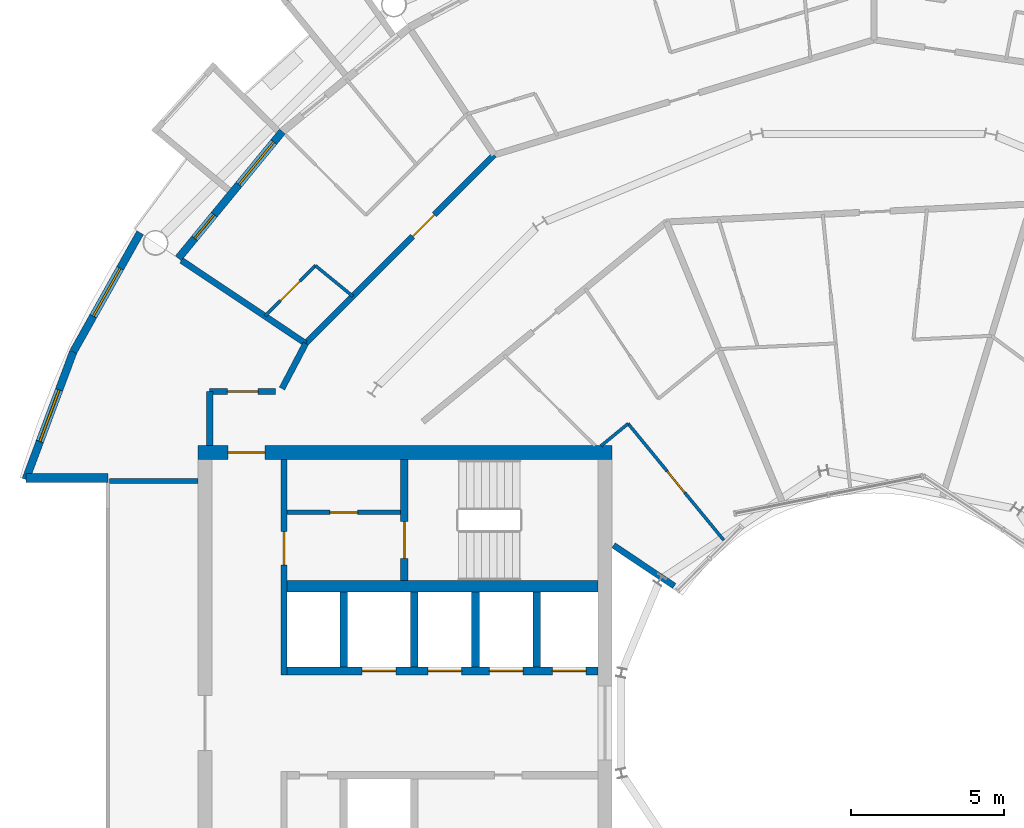
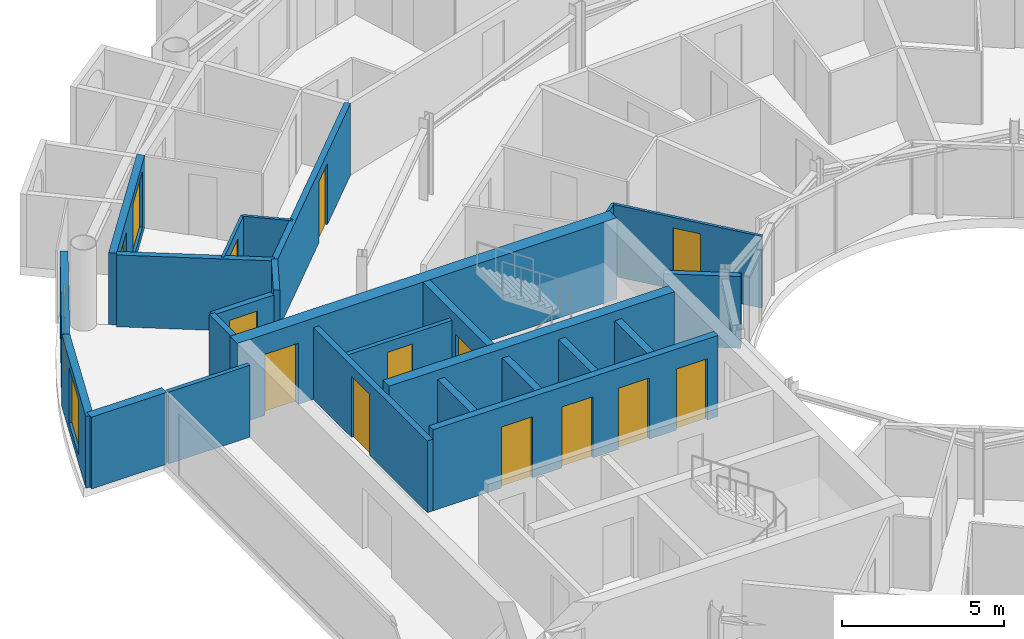
# One storey, part 20 of 29: 25 walls, 13 doors, 3 windows, 16 openings.
"""IFC4 building model written with IfcOpenShell, lengths in metres."""

from ifc_helpers import new_model, si_unit, direction, frame, frame_2d, origin, place, context, subcontext, project, spatial, rectangle, extrude, material, layer, layer_set, type_object, element, fill, save


model = new_model("IFC4")

# Units and contexts
model_context = context("Model", 3, precision=1e-05, world=origin(), true_north=direction((0.0, 1.0)))
body_context = subcontext(model_context, "Body", "Model", "MODEL_VIEW")
ifc_project = project(units=[si_unit("LENGTHUNIT", "METRE"), si_unit("AREAUNIT", "SQUARE_METRE"), si_unit("VOLUMEUNIT", "CUBIC_METRE"), si_unit("PLANEANGLEUNIT", "RADIAN"), si_unit("MASSUNIT", "GRAM", prefix="KILO")], contexts=[model_context])

# Site, building, storey
site_placement = place(None, origin())
site = spatial("IfcSite", under=ifc_project, at=site_placement, CompositionType="ELEMENT")
building_placement = place(site_placement, origin())
building = spatial("IfcBuilding", under=site, at=building_placement, Name="Maasbend Ring Residences", CompositionType="ELEMENT")
storey_placement = place(building_placement, frame((0.0, 0.0, 202.39990234375)))
storey = spatial("IfcBuildingStorey", under=building, at=storey_placement, Name="L58", CompositionType="ELEMENT", Elevation=202.39990234375)

# Wall, openings, doors
ifc_material_1 = material(Name="Concrete C50/60", Category="concrete")
ifc_layer_1 = layer(ifc_material_1, 0.25)
ifc_layer_set_1 = layer_set([ifc_layer_1], Name="Concrete C50/60")
wall_type_1 = type_object("IfcWallType", Name="CORE WALL 250 C50/60", PredefinedType="SHEAR", material=ifc_layer_set_1)
wall_1_placement = place(storey_placement, frame((-9.0, 1.699951171875, 0.0), z_axis=(0.0, 0.0, 1.0), x_axis=(-1.0, 0.0, 0.0)))
wall_1 = element("IfcWall", 1, at=wall_1_placement, inside=storey, type_object=wall_type_1, Name="L58 core W wall SPS", PredefinedType="SHEAR", context=body_context, shape_type="SweptSolid", body=[
    extrude(rectangle(XDim=10.14990234375, YDim=0.25, at=frame_2d((5.074951171875, 0.0))), origin(), (0.0, 0.0, 1.0), 3.050048828125),
])
opening_1_placement = place(wall_1_placement, frame((0.387451171875, 0.0, 0.0)))
opening_1 = element("IfcOpeningElement", 2, at=opening_1_placement, cuts=wall_1, Name="Opening LD-W5802", PredefinedType="OPENING", context=body_context, shape_type="SweptSolid", body=[
    extrude(rectangle(XDim=1.10009765625, YDim=2.300048828125, at=frame_2d((0.550048828125, 1.14990234375))), frame((0.0, 0.135009765625, 0.0), z_axis=(0.0, -1.0, 0.0), x_axis=(1.0, 0.0, 0.0)), (0.0, 0.0, 1.0), 0.27001953125),
])
opening_2_placement = place(wall_1_placement, frame((2.449951171875, 0.0, 0.0)))
opening_2 = element("IfcOpeningElement", 3, at=opening_2_placement, cuts=wall_1, Name="Opening LD-W5803", PredefinedType="OPENING", context=body_context, shape_type="SweptSolid", body=[
    extrude(rectangle(XDim=1.10009765625, YDim=2.300048828125, at=frame_2d((0.550048828125, 1.14990234375))), frame((0.0, 0.135009765625, 0.0), z_axis=(0.0, -1.0, 0.0), x_axis=(1.0, 0.0, 0.0)), (0.0, 0.0, 1.0), 0.27001953125),
])
opening_3_placement = place(wall_1_placement, frame((4.449951171875, 0.0, 0.0)))
opening_3 = element("IfcOpeningElement", 4, at=opening_3_placement, cuts=wall_1, Name="Opening LD-W5804", PredefinedType="OPENING", context=body_context, shape_type="SweptSolid", body=[
    extrude(rectangle(XDim=1.10009765625, YDim=2.300048828125, at=frame_2d((0.550048828125, 1.14990234375))), frame((0.0, 0.135009765625, 0.0), z_axis=(0.0, -1.0, 0.0), x_axis=(1.0, 0.0, 0.0)), (0.0, 0.0, 1.0), 0.27001953125),
])
opening_4_placement = place(wall_1_placement, frame((6.60009765625, 0.0, 0.0)))
opening_4 = element("IfcOpeningElement", 5, at=opening_4_placement, cuts=wall_1, Name="Opening LD-W5805", PredefinedType="OPENING", context=body_context, shape_type="SweptSolid", body=[
    extrude(rectangle(XDim=1.10009765625, YDim=2.300048828125, at=frame_2d((0.550048828125, 1.14990234375))), frame((0.0, 0.135009765625, 0.0), z_axis=(0.0, -1.0, 0.0), x_axis=(1.0, 0.0, 0.0)), (0.0, 0.0, 1.0), 0.27001953125),
])
ifc_material_2 = material(Name="Stainless steel 316", Category="steel")
door_type_1 = type_object("IfcDoorType", Name="LANDING DOOR 1100 X 2300 FD60", OperationType="DOUBLE_DOOR_SLIDING", PredefinedType="DOOR", material=ifc_material_2)
door_1_placement = place(opening_1_placement, origin())
door_1 = element("IfcDoor", 6, at=door_1_placement, inside=storey, type_object=door_type_1, Name="Landing door HR-W1 L58", OperationType="DOUBLE_DOOR_SLIDING", OverallHeight=2.300048828125, OverallWidth=1.10009765625, PredefinedType="DOOR", context=body_context, shape_type="SweptSolid", body=[
    extrude(rectangle(XDim=1.10009765625, YDim=2.300048828125, at=frame_2d((0.550048828125, 1.14990234375))), frame((0.0, 0.02490234375, 0.0), z_axis=(0.0, -1.0, 0.0), x_axis=(1.0, 0.0, 0.0)), (0.0, 0.0, 1.0), 0.050048828125),
])
fill(opening_1, door_1)
door_2_placement = place(opening_2_placement, origin())
door_2 = element("IfcDoor", 7, at=door_2_placement, inside=storey, type_object=door_type_1, Name="Landing door HR-W2 L58", OperationType="DOUBLE_DOOR_SLIDING", OverallHeight=2.300048828125, OverallWidth=1.10009765625, PredefinedType="DOOR", context=body_context, shape_type="SweptSolid", body=[
    extrude(rectangle(XDim=1.10009765625, YDim=2.300048828125, at=frame_2d((0.550048828125, 1.14990234375))), frame((0.0, 0.02490234375, 0.0), z_axis=(0.0, -1.0, 0.0), x_axis=(1.0, 0.0, 0.0)), (0.0, 0.0, 1.0), 0.050048828125),
])
fill(opening_2, door_2)
door_3_placement = place(opening_3_placement, origin())
door_3 = element("IfcDoor", 8, at=door_3_placement, inside=storey, type_object=door_type_1, Name="Landing door HR-W3 L58", OperationType="DOUBLE_DOOR_SLIDING", OverallHeight=2.300048828125, OverallWidth=1.10009765625, PredefinedType="DOOR", context=body_context, shape_type="SweptSolid", body=[
    extrude(rectangle(XDim=1.10009765625, YDim=2.300048828125, at=frame_2d((0.550048828125, 1.14990234375))), frame((0.0, 0.02490234375, 0.0), z_axis=(0.0, -1.0, 0.0), x_axis=(1.0, 0.0, 0.0)), (0.0, 0.0, 1.0), 0.050048828125),
])
fill(opening_3, door_3)
door_4_placement = place(opening_4_placement, origin())
door_4 = element("IfcDoor", 9, at=door_4_placement, inside=storey, type_object=door_type_1, Name="Landing door SV-W L58", OperationType="DOUBLE_DOOR_SLIDING", OverallHeight=2.300048828125, OverallWidth=1.10009765625, PredefinedType="DOOR", context=body_context, shape_type="SweptSolid", body=[
    extrude(rectangle(XDim=1.10009765625, YDim=2.300048828125, at=frame_2d((0.550048828125, 1.14990234375))), frame((0.0, 0.02490234375, 0.0), z_axis=(0.0, -1.0, 0.0), x_axis=(1.0, 0.0, 0.0)), (0.0, 0.0, 1.0), 0.050048828125),
])
fill(opening_4, door_4)

# Wall, opening, door
wall_2_placement = place(storey_placement, frame((-15.324951171875, 8.60009765625, 0.0), z_axis=(0.0, 0.0, 1.0), x_axis=(0.0, -1.0, 0.0)))
wall_2 = element("IfcWall", 10, at=wall_2_placement, inside=storey, type_object=wall_type_1, Name="L58 core W wall STES", PredefinedType="SHEAR", context=body_context, shape_type="SweptSolid", body=[
    extrude(rectangle(XDim=3.9501953125, YDim=0.25, at=frame_2d((1.97509765625, 0.0))), origin(), (0.0, 0.0, 1.0), 3.050048828125),
])
opening_5_placement = place(wall_2_placement, frame((2.02490234375, 0.0, 0.0)))
opening_5 = element("IfcOpeningElement", 11, at=opening_5_placement, cuts=wall_2, Name="Opening D-W5810", PredefinedType="OPENING", context=body_context, shape_type="SweptSolid", body=[
    extrude(rectangle(XDim=1.199951171875, YDim=2.300048828125, at=frame_2d((0.60009765625, 1.14990234375))), frame((0.0, 0.135009765625, 0.0), z_axis=(0.0, -1.0, 0.0), x_axis=(1.0, 0.0, 0.0)), (0.0, 0.0, 1.0), 0.27001953125),
])
ifc_material_3 = material(Name="Steel, powder coated", Category="steel")
door_type_2 = type_object("IfcDoorType", Name="STAIR DOOR 1200 X 2300 FD60", OperationType="NOTDEFINED", PredefinedType="DOOR", material=ifc_material_3)
door_5_placement = place(opening_5_placement, origin())
door_5 = element("IfcDoor", 12, at=door_5_placement, inside=storey, type_object=door_type_2, Name="Stair door ST-W L58", OperationType="SINGLE_SWING_LEFT", OverallHeight=2.300048828125, OverallWidth=1.199951171875, PredefinedType="DOOR", context=body_context, shape_type="SweptSolid", body=[
    extrude(rectangle(XDim=1.199951171875, YDim=2.300048828125, at=frame_2d((0.60009765625, 1.14990234375))), frame((0.0, 0.02490234375, 0.0), z_axis=(0.0, -1.0, 0.0), x_axis=(1.0, 0.0, 0.0)), (0.0, 0.0, 1.0), 0.050048828125),
])
fill(opening_5, door_5)

# Wall
ifc_material_4 = material(Name="Concrete C50/60", Category="concrete")
ifc_layer_2 = layer(ifc_material_4, 0.375)
ifc_layer_set_2 = layer_set([ifc_layer_2], Name="Concrete C50/60")
wall_type_2 = type_object("IfcWallType", Name="CORE WALL 375 C50/60", PredefinedType="SHEAR", material=ifc_layer_set_2)
wall_3_placement = place(storey_placement, frame((-9.0, 4.46240234375, 0.0), z_axis=(0.0, 0.0, 1.0), x_axis=(-1.0, 0.0, 0.0)))
element("IfcWall", 13, at=wall_3_placement, inside=storey, type_object=wall_type_2, Name="L58 core W wall BS", PredefinedType="SHEAR", context=body_context, shape_type="SweptSolid", body=[
    extrude(rectangle(XDim=10.14990234375, YDim=0.375, at=frame_2d((5.074951171875, 0.0))), origin(), (0.0, 0.0, 1.0), 3.050048828125),
])

# Wall, opening, door
ifc_material_5 = material(Name="Concrete C50/60", Category="concrete")
ifc_layer_3 = layer(ifc_material_5, 0.449951171875)
ifc_layer_set_3 = layer_set([ifc_layer_3], Name="Concrete C50/60")
wall_type_3 = type_object("IfcWallType", Name="CORE WALL 450 C50/60", PredefinedType="SHEAR", material=ifc_layer_set_3)
wall_4_placement = place(storey_placement, frame((-8.550048828125, 8.824951171875, 0.0), z_axis=(0.0, 0.0, 1.0), x_axis=(-1.0, 0.0, 0.0)))
wall_4 = element("IfcWall", 14, at=wall_4_placement, inside=storey, type_object=wall_type_3, Name="L58 core W wall PS", PredefinedType="SHEAR", context=body_context, shape_type="SweptSolid", body=[
    extrude(rectangle(XDim=13.5, YDim=0.449951171875, at=frame_2d((6.75, 0.0))), origin(), (0.0, 0.0, 1.0), 3.050048828125),
])
opening_6_placement = place(wall_4_placement, frame((11.324951171875, 0.0, 0.0)))
opening_6 = element("IfcOpeningElement", 15, at=opening_6_placement, cuts=wall_4, Name="Opening D-W5814", PredefinedType="OPENING", context=body_context, shape_type="SweptSolid", body=[
    extrude(rectangle(XDim=1.199951171875, YDim=2.300048828125, at=frame_2d((0.60009765625, 1.14990234375))), frame((0.0, 0.23486328125, 0.0), z_axis=(0.0, -1.0, 0.0), x_axis=(1.0, 0.0, 0.0)), (0.0, 0.0, 1.0), 0.469970703125),
])
ifc_material_6 = material(Name="Steel, powder coated", Category="steel")
door_type_3 = type_object("IfcDoorType", Name="CORRIDOR DOOR 1200 X 2300 FD30S", OperationType="NOTDEFINED", PredefinedType="DOOR", material=ifc_material_6)
door_6_placement = place(opening_6_placement, origin())
door_6 = element("IfcDoor", 16, at=door_6_placement, inside=storey, type_object=door_type_3, Name="Corridor door L58", OperationType="SINGLE_SWING_LEFT", OverallHeight=2.300048828125, OverallWidth=1.199951171875, PredefinedType="DOOR", context=body_context, shape_type="SweptSolid", body=[
    extrude(rectangle(XDim=1.199951171875, YDim=2.300048828125, at=frame_2d((0.60009765625, 1.14990234375))), frame((0.0, 0.02490234375, 0.0), z_axis=(0.0, -1.0, 0.0), x_axis=(1.0, 0.0, 0.0)), (0.0, 0.0, 1.0), 0.050048828125),
])
fill(opening_6, door_6)

ifc_material_7 = material(Name="Concrete C30/37", Category="concrete")
ifc_layer_4 = layer(ifc_material_7, 0.199951171875)
ifc_layer_set_4 = layer_set([ifc_layer_4], Name="Concrete C30/37")
wall_type_4 = type_object("IfcWallType", Name="CORRIDOR WALL 200 CONCRETE", PredefinedType="PARTITIONING", material=ifc_layer_set_4)
wall_5_placement = place(storey_placement, frame((-21.675048828125, 10.824951171875, 0.0), z_axis=(0.0, 0.0, 1.0), x_axis=(1.0, 0.0, 0.0)))
wall_5 = element("IfcWall", 17, at=wall_5_placement, inside=storey, type_object=wall_type_4, Name="U-L58-w093", PredefinedType="PARTITIONING", context=body_context, shape_type="SweptSolid", body=[
    extrude(rectangle(XDim=2.152099609375, YDim=0.199951171875, at=frame_2d((1.076171875, 0.0))), origin(), (0.0, 0.0, 1.0), 2.7001953125),
])
opening_7_placement = place(wall_5_placement, frame((0.575927734375, 0.0, 0.0)))
opening_7 = element("IfcOpeningElement", 18, at=opening_7_placement, cuts=wall_5, Name="Opening D-5869", PredefinedType="OPENING", context=body_context, shape_type="SweptSolid", body=[
    extrude(rectangle(XDim=1.0, YDim=2.300048828125, at=frame_2d((0.5, 1.14990234375))), frame((0.0, 0.10986328125, 0.0), z_axis=(0.0, -1.0, 0.0), x_axis=(1.0, 0.0, 0.0)), (0.0, 0.0, 1.0), 0.219970703125),
])
ifc_material_8 = material(Name="Timber, painted", Category="wood")
door_type_4 = type_object("IfcDoorType", Name="ROOM DOOR 1000 X 2300", OperationType="NOTDEFINED", PredefinedType="DOOR", material=ifc_material_8)
door_7_placement = place(opening_7_placement, origin())
door_7 = element("IfcDoor", 19, at=door_7_placement, inside=storey, type_object=door_type_4, Name="D-5869", OperationType="SINGLE_SWING_LEFT", OverallHeight=2.300048828125, OverallWidth=1.0, PredefinedType="DOOR", context=body_context, shape_type="SweptSolid", body=[
    extrude(rectangle(XDim=1.0, YDim=2.300048828125, at=frame_2d((0.5, 1.14990234375))), frame((0.0, 0.02490234375, 0.0), z_axis=(0.0, -1.0, 0.0), x_axis=(1.0, 0.0, 0.0)), (0.0, 0.0, 1.0), 0.050048828125),
])
fill(opening_7, door_7)

# Wall
wall_6_placement = place(storey_placement, frame((-21.675048828125, 9.050048828125, 0.0), z_axis=(0.0, 0.0, 1.0), x_axis=(0.0, 1.0, 0.0)))
element("IfcWall", 20, at=wall_6_placement, inside=storey, type_object=wall_type_4, Name="U-L58-w106", PredefinedType="PARTITIONING", context=body_context, shape_type="SweptSolid", body=[
    extrude(rectangle(XDim=1.77490234375, YDim=0.199951171875, at=frame_2d((0.887451171875, 0.0))), origin(), (0.0, 0.0, 1.0), 2.7001953125),
])

# Wall, opening, door
wall_7_placement = place(storey_placement, frame((-18.5419921875, 12.388916015625, 0.0), z_axis=(0.0, 0.0, 1.0), x_axis=(0.707106781187, 0.707106781187, 0.0)))
wall_7 = element("IfcWall", 21, at=wall_7_placement, inside=storey, type_object=wall_type_4, Name="U-L58-w107", PredefinedType="PARTITIONING", context=body_context, shape_type="SweptSolid", body=[
    extrude(rectangle(XDim=8.70166015625, YDim=0.199951171875, at=frame_2d((4.350830078125, 0.0))), origin(), (0.0, 0.0, 1.0), 2.7001953125),
])
opening_8_placement = place(wall_7_placement, frame((4.93798828125, 0.0, 0.0)))
opening_8 = element("IfcOpeningElement", 22, at=opening_8_placement, cuts=wall_7, Name="Opening D-5817", PredefinedType="OPENING", context=body_context, shape_type="SweptSolid", body=[
    extrude(rectangle(XDim=1.0, YDim=2.300048828125, at=frame_2d((0.5, 1.14990234375))), frame((0.0, 0.10986328125, 0.0), z_axis=(0.0, -1.0, 0.0), x_axis=(1.0, 0.0, 0.0)), (0.0, 0.0, 1.0), 0.219970703125),
])
ifc_material_9 = material(Name="Timber, fire-rated, painted", Category="wood")
door_type_5 = type_object("IfcDoorType", Name="FLAT ENTRANCE DOOR 1000 X 2300 FIRE-RATED", OperationType="NOTDEFINED", PredefinedType="DOOR", material=ifc_material_9)
door_8_placement = place(opening_8_placement, origin())
door_8 = element("IfcDoor", 23, at=door_8_placement, inside=storey, type_object=door_type_5, Name="D-5817", OperationType="SINGLE_SWING_RIGHT", OverallHeight=2.300048828125, OverallWidth=1.0, PredefinedType="DOOR", context=body_context, shape_type="SweptSolid", body=[
    extrude(rectangle(XDim=1.0, YDim=2.300048828125, at=frame_2d((0.5, 1.14990234375))), frame((0.0, 0.02490234375, 0.0), z_axis=(0.0, -1.0, 0.0), x_axis=(1.0, 0.0, 0.0)), (0.0, 0.0, 1.0), 0.050048828125),
])
fill(opening_8, door_8)

# Wall
wall_8_placement = place(storey_placement, frame((-19.31689453125, 10.9150390625, 0.0), z_axis=(0.0, 0.0, 1.0), x_axis=(0.465359652486, 0.885121683068, 0.0)))
element("IfcWall", 24, at=wall_8_placement, inside=storey, type_object=wall_type_4, Name="U-L58-w111", PredefinedType="PARTITIONING", context=body_context, shape_type="SweptSolid", body=[
    extrude(rectangle(XDim=1.665283203125, YDim=0.199951171875, at=frame_2d((0.83251953125, 0.0))), origin(), (0.0, 0.0, 1.0), 2.7001953125),
])

# Wall, openings, door, window
ifc_material_10 = material(Name="Aluminium clad insulated panel", Category="aluminium")
ifc_layer_5 = layer(ifc_material_10, 0.25)
ifc_layer_set_5 = layer_set([ifc_layer_5], Name="EW-GL")
wall_type_5 = type_object("IfcWallType", Name="EW-GL", PredefinedType="SOLIDWALL", material=ifc_layer_set_5)
wall_9_placement = place(storey_placement, frame((-19.303955078125, 19.303955078125, 0.0), z_axis=(0.0, 0.0, 1.0), x_axis=(-0.634382322723, -0.773019449054, 0.0)))
wall_9 = element("IfcWall", 25, at=wall_9_placement, inside=storey, type_object=wall_type_5, Name="External wall N10", PredefinedType="SOLIDWALL", context=body_context, shape_type="SweptSolid", body=[
    extrude(rectangle(XDim=5.351806640625, YDim=0.25, at=frame_2d((2.67578125, 0.0))), origin(), (0.0, 0.0, 1.0), 2.7001953125),
])
opening_9_placement = place(wall_9_placement, frame((0.441162109375, 0.0, 0.300048828125)))
opening_9 = element("IfcOpeningElement", 26, at=opening_9_placement, cuts=wall_9, Name="Opening W-BX", PredefinedType="OPENING", context=body_context, shape_type="SweptSolid", body=[
    extrude(rectangle(XDim=1.800048828125, YDim=2.10009765625, at=frame_2d((0.89990234375, 1.050048828125))), frame((0.0, 0.135009765625, 0.0), z_axis=(0.0, -1.0, 0.0), x_axis=(1.0, 0.0, 0.0)), (0.0, 0.0, 1.0), 0.27001953125),
])
opening_10_placement = place(wall_9_placement, frame((3.510498046875, 0.0, 0.0)))
opening_10 = element("IfcOpeningElement", 27, at=opening_10_placement, cuts=wall_9, Name="Opening D-LG", PredefinedType="OPENING", context=body_context, shape_type="SweptSolid", body=[
    extrude(rectangle(XDim=1.0, YDim=2.199951171875, at=frame_2d((0.5, 1.10009765625))), frame((0.0, 0.135009765625, 0.0), z_axis=(0.0, -1.0, 0.0), x_axis=(1.0, 0.0, 0.0)), (0.0, 0.0, 1.0), 0.27001953125),
])
ifc_material_11 = material(Name="Aluminium and clear glass", Category="aluminium")
door_type_6 = type_object("IfcDoorType", Name="D-LG", OperationType="SINGLE_SWING_LEFT", PredefinedType="DOOR", material=ifc_material_11)
door_9_placement = place(opening_10_placement, origin())
door_9 = element("IfcDoor", 28, at=door_9_placement, inside=storey, type_object=door_type_6, Name="Loggia door N20", OperationType="SINGLE_SWING_LEFT", OverallHeight=2.199951171875, OverallWidth=1.0, PredefinedType="DOOR", context=body_context, shape_type="SweptSolid", body=[
    extrude(rectangle(XDim=1.0, YDim=2.199951171875, at=frame_2d((0.5, 1.10009765625))), frame((0.0, 0.02490234375, 0.0), z_axis=(0.0, -1.0, 0.0), x_axis=(1.0, 0.0, 0.0)), (0.0, 0.0, 1.0), 0.050048828125),
])
fill(opening_10, door_9)
ifc_material_12 = material(Name="Aluminium and clear glass", Category="aluminium")
window_type = type_object("IfcWindowType", Name="W-BX", PartitioningType="DOUBLE_PANEL_VERTICAL", PredefinedType="WINDOW", material=ifc_material_12)
window_1_placement = place(opening_9_placement, origin())
window_1 = element("IfcWindow", 29, at=window_1_placement, inside=storey, type_object=window_type, Name="Window N19 room to box", OverallHeight=2.10009765625, OverallWidth=1.800048828125, PartitioningType="SINGLE_PANEL", PredefinedType="WINDOW", context=body_context, shape_type="SweptSolid", body=[
    extrude(rectangle(XDim=1.800048828125, YDim=2.10009765625, at=frame_2d((0.89990234375, 1.050048828125))), frame((0.0, 0.030029296875, 0.0), z_axis=(0.0, -1.0, 0.0), x_axis=(1.0, 0.0, 0.0)), (0.0, 0.0, 1.0), 0.06005859375),
])
fill(opening_9, window_1)

# Wall, opening, window
ifc_material_13 = material(Name="Aluminium clad insulated panel", Category="aluminium")
ifc_layer_6 = layer(ifc_material_13, 0.25)
ifc_layer_set_6 = layer_set([ifc_layer_6], Name="EW-HORN")
wall_type_6 = type_object("IfcWallType", Name="EW-HORN", PredefinedType="SOLIDWALL", material=ifc_layer_set_6)
wall_10_placement = place(storey_placement, frame((-23.946044921875, 16.0, 0.0), z_axis=(0.0, 0.0, 1.0), x_axis=(-0.489696356642, -0.871893042919, 0.0)))
wall_10 = element("IfcWall", 30, at=wall_10_placement, inside=storey, type_object=wall_type_6, Name="Horn wall 4.1", PredefinedType="SOLIDWALL", context=body_context, shape_type="SweptSolid", body=[
    extrude(rectangle(XDim=4.45361328125, YDim=0.25, at=frame_2d((2.226806640625, 0.0))), origin(), (0.0, 0.0, 1.0), 2.7001953125),
])
opening_11_placement = place(wall_10_placement, frame((1.32666015625, 0.0, 0.300048828125)))
opening_11 = element("IfcOpeningElement", 31, at=opening_11_placement, cuts=wall_10, Name="Opening W-BX", PredefinedType="OPENING", context=body_context, shape_type="SweptSolid", body=[
    extrude(rectangle(XDim=1.800048828125, YDim=2.10009765625, at=frame_2d((0.89990234375, 1.050048828125))), frame((0.0, 0.135009765625, 0.0), z_axis=(0.0, -1.0, 0.0), x_axis=(1.0, 0.0, 0.0)), (0.0, 0.0, 1.0), 0.27001953125),
])
window_2_placement = place(opening_11_placement, origin())
window_2 = element("IfcWindow", 32, at=window_2_placement, inside=storey, type_object=window_type, Name="Horn window 4.1", OverallHeight=2.10009765625, OverallWidth=1.800048828125, PartitioningType="SINGLE_PANEL", PredefinedType="WINDOW", context=body_context, shape_type="SweptSolid", body=[
    extrude(rectangle(XDim=1.800048828125, YDim=2.10009765625, at=frame_2d((0.89990234375, 1.050048828125))), frame((0.0, 0.030029296875, 0.0), z_axis=(0.0, -1.0, 0.0), x_axis=(1.0, 0.0, 0.0)), (0.0, 0.0, 1.0), 0.06005859375),
])
fill(opening_11, window_2)

wall_11_placement = place(storey_placement, frame((-26.126953125, 12.116943359375, 0.0), z_axis=(0.0, 0.0, 1.0), x_axis=(-0.349247811493, -0.937030397675, 0.0)))
wall_11 = element("IfcWall", 33, at=wall_11_placement, inside=storey, type_object=wall_type_6, Name="Horn wall 4.2", PredefinedType="SOLIDWALL", context=body_context, shape_type="SweptSolid", body=[
    extrude(rectangle(XDim=4.4521484375, YDim=0.25, at=frame_2d((2.22607421875, 0.0))), origin(), (0.0, 0.0, 1.0), 2.7001953125),
])
opening_12_placement = place(wall_11_placement, frame((1.32666015625, 0.0, 0.300048828125)))
opening_12 = element("IfcOpeningElement", 34, at=opening_12_placement, cuts=wall_11, Name="Opening W-BX", PredefinedType="OPENING", context=body_context, shape_type="SweptSolid", body=[
    extrude(rectangle(XDim=1.800048828125, YDim=2.10009765625, at=frame_2d((0.89990234375, 1.050048828125))), frame((0.0, 0.135009765625, 0.0), z_axis=(0.0, -1.0, 0.0), x_axis=(1.0, 0.0, 0.0)), (0.0, 0.0, 1.0), 0.27001953125),
])
window_3_placement = place(opening_12_placement, origin())
window_3 = element("IfcWindow", 35, at=window_3_placement, inside=storey, type_object=window_type, Name="Horn window 4.2", OverallHeight=2.10009765625, OverallWidth=1.800048828125, PartitioningType="SINGLE_PANEL", PredefinedType="WINDOW", context=body_context, shape_type="SweptSolid", body=[
    extrude(rectangle(XDim=1.800048828125, YDim=2.10009765625, at=frame_2d((0.89990234375, 1.050048828125))), frame((0.0, 0.030029296875, 0.0), z_axis=(0.0, -1.0, 0.0), x_axis=(1.0, 0.0, 0.0)), (0.0, 0.0, 1.0), 0.06005859375),
])
fill(opening_12, window_3)

# Walls
ifc_material_14 = material(Name="Aluminium clad insulated panel", Category="aluminium")
ifc_layer_7 = layer(ifc_material_14, 0.300048828125)
ifc_layer_set_7 = layer_set([ifc_layer_7], Name="EW-RET")
wall_type_7 = type_object("IfcWallType", Name="EW-RET", PredefinedType="SOLIDWALL", material=ifc_layer_set_7)
wall_12_placement = place(storey_placement, frame((-25.0, 8.0, 0.0), z_axis=(0.0, 0.0, 1.0), x_axis=(-1.0, 0.0, 0.0)))
element("IfcWall", 36, at=wall_12_placement, inside=storey, type_object=wall_type_7, Name="Notch return wall west north", PredefinedType="SOLIDWALL", context=body_context, shape_type="SweptSolid", body=[
    extrude(rectangle(XDim=2.6669921875, YDim=0.300048828125, at=frame_2d((1.33349609375, 0.0))), origin(), (0.0, 0.0, 1.0), 2.7001953125),
])
ifc_material_15 = material(Name="Gypsum board on steel studs", Category="steel")
ifc_layer_8 = layer(ifc_material_15, 0.10009765625)
ifc_layer_set_8 = layer_set([ifc_layer_8], Name="PARTITION 100 GYPSUM")
wall_type_8 = type_object("IfcWallType", Name="PARTITION 100 GYPSUM", PredefinedType="PARTITIONING", material=ifc_layer_set_8)
wall_13_placement = place(storey_placement, frame((-18.22412109375, 14.927001953125, 0.0), z_axis=(0.0, 0.0, 1.0), x_axis=(0.773446828454, -0.633861186344, 0.0)))
element("IfcWall", 37, at=wall_13_placement, inside=storey, type_object=wall_type_8, Name="U-L58-w030", PredefinedType="PARTITIONING", context=body_context, shape_type="SweptSolid", body=[
    extrude(rectangle(XDim=1.57763671875, YDim=0.10009765625, at=frame_2d((0.788818359375, 0.0))), origin(), (0.0, 0.0, 1.0), 2.7001953125),
])

# Wall, opening, door
wall_14_placement = place(storey_placement, frame((-8.01904296875, 9.77099609375, 0.0), z_axis=(0.0, 0.0, 1.0), x_axis=(0.634401778971, -0.773003481776, 0.0)))
wall_14 = element("IfcWall", 38, at=wall_14_placement, inside=storey, type_object=wall_type_8, Name="U-L58-w051", PredefinedType="PARTITIONING", context=body_context, shape_type="SweptSolid", body=[
    extrude(rectangle(XDim=4.919677734375, YDim=0.10009765625, at=frame_2d((2.4599609375, 0.0))), origin(), (0.0, 0.0, 1.0), 2.7001953125),
])
opening_13_placement = place(wall_14_placement, frame((2.010009765625, 0.0, 0.0)))
opening_13 = element("IfcOpeningElement", 39, at=opening_13_placement, cuts=wall_14, Name="Opening D-5833", PredefinedType="OPENING", context=body_context, shape_type="SweptSolid", body=[
    extrude(rectangle(XDim=0.89990234375, YDim=2.300048828125, at=frame_2d((0.449951171875, 1.14990234375))), frame((0.0, 0.06005859375, 0.0), z_axis=(0.0, -1.0, 0.0), x_axis=(1.0, 0.0, 0.0)), (0.0, 0.0, 1.0), 0.1201171875),
])
ifc_material_16 = material(Name="Timber, painted", Category="wood")
door_type_7 = type_object("IfcDoorType", Name="INTERNAL DOOR 900 X 2300", OperationType="NOTDEFINED", PredefinedType="DOOR", material=ifc_material_16)
door_10_placement = place(opening_13_placement, origin())
door_10 = element("IfcDoor", 40, at=door_10_placement, inside=storey, type_object=door_type_7, Name="D-5833", OperationType="SINGLE_SWING_RIGHT", OverallHeight=2.300048828125, OverallWidth=0.89990234375, PredefinedType="DOOR", context=body_context, shape_type="SweptSolid", body=[
    extrude(rectangle(XDim=0.89990234375, YDim=2.300048828125, at=frame_2d((0.449951171875, 1.14990234375))), frame((0.0, 0.02490234375, 0.0), z_axis=(0.0, -1.0, 0.0), x_axis=(1.0, 0.0, 0.0)), (0.0, 0.0, 1.0), 0.050048828125),
])
fill(opening_13, door_10)

# Wall
wall_15_placement = place(storey_placement, frame((-8.902099609375, 9.0458984375, 0.0), z_axis=(0.0, 0.0, 1.0), x_axis=(0.772842270779, 0.63459815986, 0.0)))
element("IfcWall", 41, at=wall_15_placement, inside=storey, type_object=wall_type_8, Name="U-L58-w099", PredefinedType="PARTITIONING", context=body_context, shape_type="SweptSolid", body=[
    extrude(rectangle(XDim=1.142578125, YDim=0.10009765625, at=frame_2d((0.5712890625, 0.0))), origin(), (0.0, 0.0, 1.0), 2.7001953125),
])

# Wall, opening, door
wall_16_placement = place(storey_placement, frame((-19.866943359375, 13.282958984375, 0.0), z_axis=(0.0, 0.0, 1.0), x_axis=(0.707106781187, 0.707106781187, 0.0)))
wall_16 = element("IfcWall", 42, at=wall_16_placement, inside=storey, type_object=wall_type_8, Name="U-L58-w115", PredefinedType="PARTITIONING", context=body_context, shape_type="SweptSolid", body=[
    extrude(rectangle(XDim=2.33203125, YDim=0.10009765625, at=frame_2d((1.166015625, 0.0))), origin(), (0.0, 0.0, 1.0), 2.7001953125),
])
opening_14_placement = place(wall_16_placement, frame((0.708984375, 0.0, 0.0)))
opening_14 = element("IfcOpeningElement", 43, at=opening_14_placement, cuts=wall_16, Name="Opening D-5818", PredefinedType="OPENING", context=body_context, shape_type="SweptSolid", body=[
    extrude(rectangle(XDim=0.89990234375, YDim=2.300048828125, at=frame_2d((0.449951171875, 1.14990234375))), frame((0.0, 0.06005859375, 0.0), z_axis=(0.0, -1.0, 0.0), x_axis=(1.0, 0.0, 0.0)), (0.0, 0.0, 1.0), 0.1201171875),
])
door_11_placement = place(opening_14_placement, origin())
door_11 = element("IfcDoor", 44, at=door_11_placement, inside=storey, type_object=door_type_7, Name="D-5818", OperationType="SINGLE_SWING_LEFT", OverallHeight=2.300048828125, OverallWidth=0.89990234375, PredefinedType="DOOR", context=body_context, shape_type="SweptSolid", body=[
    extrude(rectangle(XDim=0.89990234375, YDim=2.300048828125, at=frame_2d((0.449951171875, 1.14990234375))), frame((0.0, 0.02490234375, 0.0), z_axis=(0.0, -1.0, 0.0), x_axis=(1.0, 0.0, 0.0)), (0.0, 0.0, 1.0), 0.050048828125),
])
fill(opening_14, door_11)

ifc_material_17 = material(Name="Gypsum board on steel studs", Category="steel")
ifc_layer_9 = layer(ifc_material_17, 0.14990234375)
ifc_layer_set_9 = layer_set([ifc_layer_9], Name="PARTITION 150 EI 60")
wall_type_9 = type_object("IfcWallType", Name="PARTITION 150 EI 60", PredefinedType="PARTITIONING", material=ifc_layer_set_9)
wall_17_placement = place(storey_placement, frame((-15.449951171875, 6.875, 0.0), z_axis=(0.0, 0.0, 1.0), x_axis=(-1.0, 0.0, 0.0)))
wall_17 = element("IfcWall", 45, at=wall_17_placement, inside=storey, type_object=wall_type_9, Name="L58 core W wall RHS", PredefinedType="PARTITIONING", context=body_context, shape_type="SweptSolid", body=[
    extrude(rectangle(XDim=3.699951171875, YDim=0.14990234375, at=frame_2d((1.85009765625, 0.0))), origin(), (0.0, 0.0, 1.0), 2.7001953125),
])
opening_15_placement = place(wall_17_placement, frame((1.39990234375, 0.0, 0.0)))
opening_15 = element("IfcOpeningElement", 46, at=opening_15_placement, cuts=wall_17, Name="Opening D-W5808", PredefinedType="OPENING", context=body_context, shape_type="SweptSolid", body=[
    extrude(rectangle(XDim=0.89990234375, YDim=2.300048828125, at=frame_2d((0.449951171875, 1.14990234375))), frame((0.0, 0.0849609375, 0.0), z_axis=(0.0, -1.0, 0.0), x_axis=(1.0, 0.0, 0.0)), (0.0, 0.0, 1.0), 0.169921875),
])
ifc_material_18 = material(Name="Steel, powder coated", Category="steel")
door_type_8 = type_object("IfcDoorType", Name="RISER DOOR 900 X 2300 FD60", OperationType="NOTDEFINED", PredefinedType="DOOR", material=ifc_material_18)
door_12_placement = place(opening_15_placement, origin())
door_12 = element("IfcDoor", 47, at=door_12_placement, inside=storey, type_object=door_type_8, Name="Riser door L58", OperationType="SINGLE_SWING_LEFT", OverallHeight=2.300048828125, OverallWidth=0.89990234375, PredefinedType="DOOR", context=body_context, shape_type="SweptSolid", body=[
    extrude(rectangle(XDim=0.89990234375, YDim=2.300048828125, at=frame_2d((0.449951171875, 1.14990234375))), frame((0.0, 0.02490234375, 0.0), z_axis=(0.0, -1.0, 0.0), x_axis=(1.0, 0.0, 0.0)), (0.0, 0.0, 1.0), 0.050048828125),
])
fill(opening_15, door_12)

# Walls
wall_18_placement = place(storey_placement, frame((-22.050048828125, 7.89990234375, 0.0), z_axis=(0.0, 0.0, 1.0), x_axis=(-1.0, 0.0, 0.0)))
element("IfcWall", 48, at=wall_18_placement, inside=storey, type_object=wall_type_9, Name="L58 core W wall CITS", PredefinedType="PARTITIONING", context=body_context, shape_type="SweptSolid", body=[
    extrude(rectangle(XDim=2.889892578125, YDim=0.14990234375, at=frame_2d((1.44482421875, 0.0))), origin(), (0.0, 0.0, 1.0), 2.7001953125),
])
ifc_material_19 = material(Name="Concrete C30/37", Category="concrete")
ifc_layer_10 = layer(ifc_material_19, 0.199951171875)
ifc_layer_set_10 = layer_set([ifc_layer_10], Name="Concrete C30/37")
wall_type_10 = type_object("IfcWallType", Name="PARTY WALL 200 CONCRETE", PredefinedType="PARTITIONING", material=ifc_layer_set_10)
wall_19_placement = place(storey_placement, frame((-22.594970703125, 15.097900390625, 0.0), z_axis=(0.0, 0.0, 1.0), x_axis=(0.831387096605, -0.55569370664, 0.0)))
element("IfcWall", 49, at=wall_19_placement, inside=storey, type_object=wall_type_10, Name="U-L58-w036", PredefinedType="PARTITIONING", context=body_context, shape_type="SweptSolid", body=[
    extrude(rectangle(XDim=4.875, YDim=0.199951171875, at=frame_2d((2.4375, 0.0))), origin(), (0.0, 0.0, 1.0), 2.7001953125),
])
wall_20_placement = place(storey_placement, frame((-6.512939453125, 4.471923828125, 0.0), z_axis=(0.0, 0.0, 1.0), x_axis=(-0.831403409976, 0.555669299026, 0.0)))
element("IfcWall", 50, at=wall_20_placement, inside=storey, type_object=wall_type_10, Name="U-L58-w091", PredefinedType="PARTITIONING", context=body_context, shape_type="SweptSolid", body=[
    extrude(rectangle(XDim=2.382568359375, YDim=0.199951171875, at=frame_2d((1.19140625, 0.0))), origin(), (0.0, 0.0, 1.0), 2.7001953125),
])

# Wall, opening, door
ifc_material_20 = material(Name="Concrete C30/37", Category="concrete")
ifc_layer_11 = layer(ifc_material_20, 0.199951171875)
ifc_layer_set_11 = layer_set([ifc_layer_11], Name="Concrete C30/37")
wall_type_11 = type_object("IfcWallType", Name="SHAFT WALL 200 EI 120", PredefinedType="SOLIDWALL", material=ifc_layer_set_11)
wall_21_placement = place(storey_placement, frame((-19.25, 8.60009765625, 0.0), z_axis=(0.0, 0.0, 1.0), x_axis=(0.0, -1.0, 0.0)))
wall_21 = element("IfcWall", 51, at=wall_21_placement, inside=storey, type_object=wall_type_11, Name="L58 core W wall ENDS", PredefinedType="SOLIDWALL", context=body_context, shape_type="SweptSolid", body=[
    extrude(rectangle(XDim=7.025146484375, YDim=0.199951171875, at=frame_2d((3.5126953125, 0.0))), origin(), (0.0, 0.0, 1.0), 2.7001953125),
])
opening_16_placement = place(wall_21_placement, frame((2.35009765625, 0.0, 0.0)))
opening_16 = element("IfcOpeningElement", 52, at=opening_16_placement, cuts=wall_21, Name="Opening D-W5812", PredefinedType="OPENING", context=body_context, shape_type="SweptSolid", body=[
    extrude(rectangle(XDim=1.10009765625, YDim=2.300048828125, at=frame_2d((0.550048828125, 1.14990234375))), frame((0.0, 0.10986328125, 0.0), z_axis=(0.0, -1.0, 0.0), x_axis=(1.0, 0.0, 0.0)), (0.0, 0.0, 1.0), 0.219970703125),
])
ifc_material_21 = material(Name="Steel, powder coated", Category="steel")
door_type_9 = type_object("IfcDoorType", Name="LOBBY DOOR 1100 X 2300 FD60", OperationType="NOTDEFINED", PredefinedType="DOOR", material=ifc_material_21)
door_13_placement = place(opening_16_placement, origin())
door_13 = element("IfcDoor", 53, at=door_13_placement, inside=storey, type_object=door_type_9, Name="Lobby door L58", OperationType="SINGLE_SWING_RIGHT", OverallHeight=2.300048828125, OverallWidth=1.10009765625, PredefinedType="DOOR", context=body_context, shape_type="SweptSolid", body=[
    extrude(rectangle(XDim=1.10009765625, YDim=2.300048828125, at=frame_2d((0.550048828125, 1.14990234375))), frame((0.0, 0.02490234375, 0.0), z_axis=(0.0, -1.0, 0.0), x_axis=(1.0, 0.0, 0.0)), (0.0, 0.0, 1.0), 0.050048828125),
])
fill(opening_16, door_13)

# Walls
ifc_material_22 = material(Name="Concrete C30/37", Category="concrete")
ifc_layer_12 = layer(ifc_material_22, 0.25)
ifc_layer_set_12 = layer_set([ifc_layer_12], Name="Concrete C30/37")
wall_type_12 = type_object("IfcWallType", Name="SHAFT WALL 250 EI 120", PredefinedType="SOLIDWALL", material=ifc_layer_set_12)
for number, where, z_axis, x_axis, name in (
    (54, (-15.0, 1.824951171875, 0.0), (0.0, 0.0, 1.0), (0.0, 1.0, 0.0), "L58 core W wall D150S"),
    (55, (-17.300048828125, 1.824951171875, 0.0), (0.0, 0.0, 1.0), (0.0, 1.0, 0.0), "L58 core W wall D173S"),
    (56, (-11.0, 1.824951171875, 0.0), (0.0, 0.0, 1.0), (0.0, 1.0, 0.0), "L58 core W wall D110S"),
    (57, (-13.0, 1.824951171875, 0.0), (0.0, 0.0, 1.0), (0.0, 1.0, 0.0), "L58 core W wall D130S"),
):
    element("IfcWall", number, at=place(storey_placement, frame(where, z_axis=z_axis, x_axis=x_axis)), inside=storey, type_object=wall_type_12, Name=name, PredefinedType="SOLIDWALL", context=body_context, shape_type="SweptSolid", body=[
        extrude(rectangle(XDim=2.449951171875, YDim=0.25, at=frame_2d((1.22509765625, 0.0))), origin(), (0.0, 0.0, 1.0), 2.7001953125),
    ])

save(model, "model.ifc")
